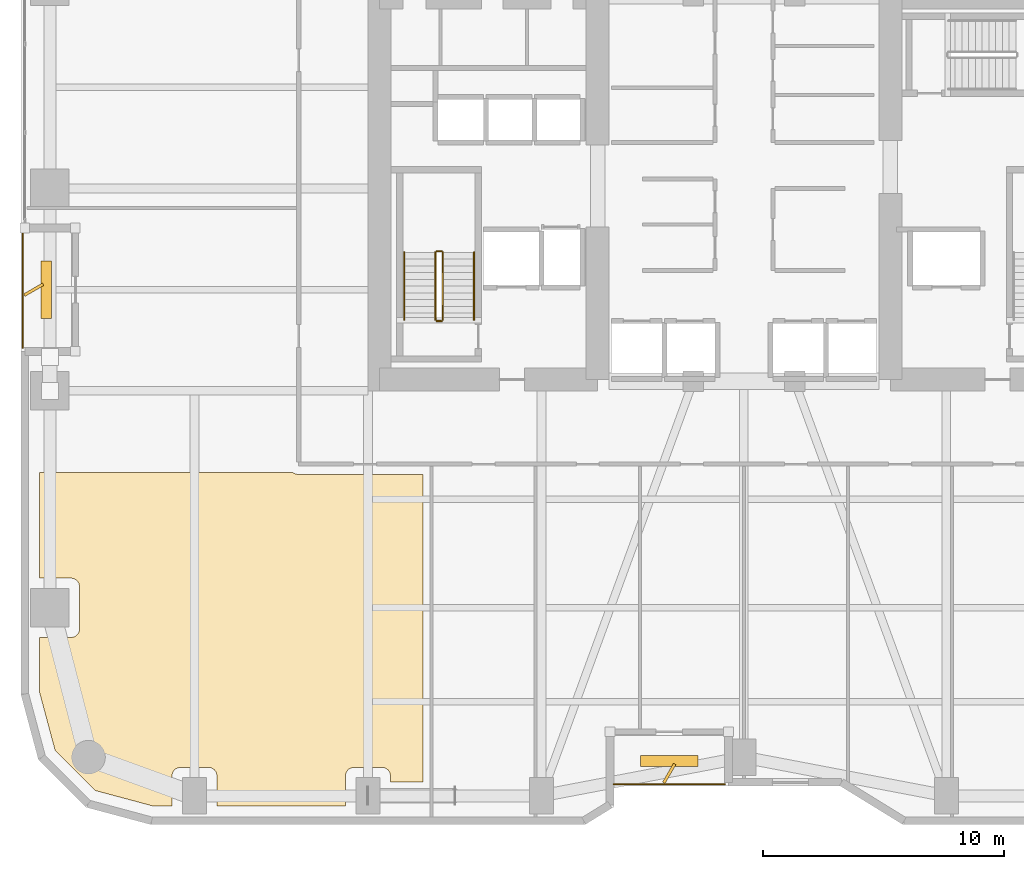
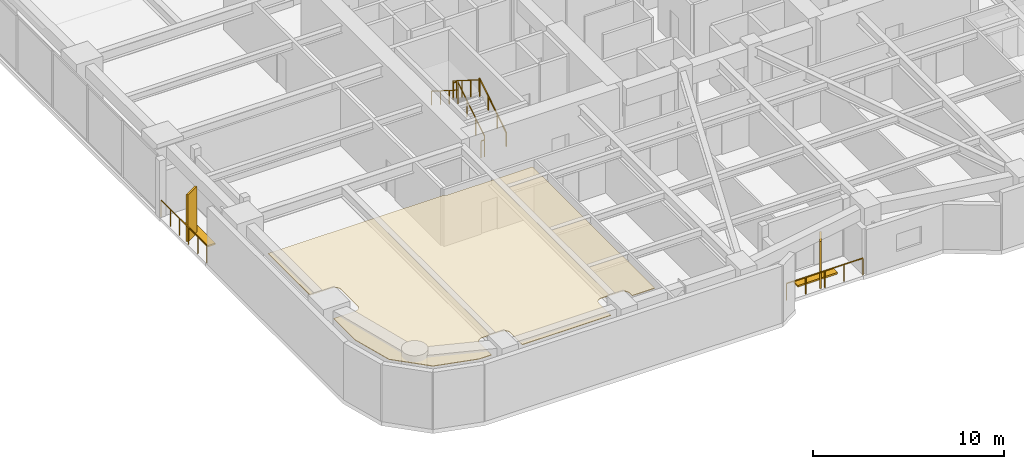
# One storey, part 26 of 28: 8 railings, 4 shading devices, 1 covering.
"""IFC4 building model written with IfcOpenShell, lengths in metres."""

from ifc_helpers import new_model, si_unit, direction, frame, origin, origin_2d, place, context, subcontext, project, spatial, polyline, rectangle, outline, extrude, material, layer, layer_set, type_object, element, save


model = new_model("IFC4")

# Units and contexts
model_context = context("Model", 3, precision=1e-05, world=origin(), true_north=direction((0.0, 1.0)))
body_context = subcontext(model_context, "Body", "Model", "MODEL_VIEW")
ifc_project = project(units=[si_unit("LENGTHUNIT", "METRE"), si_unit("AREAUNIT", "SQUARE_METRE"), si_unit("VOLUMEUNIT", "CUBIC_METRE"), si_unit("PLANEANGLEUNIT", "RADIAN"), si_unit("MASSUNIT", "GRAM", prefix="KILO")], contexts=[model_context])

# Site, building, storey
site_placement = place(None, origin())
site = spatial("IfcSite", under=ifc_project, at=site_placement, CompositionType="ELEMENT")
building_placement = place(site_placement, origin())
building = spatial("IfcBuilding", under=site, at=building_placement, Name="Kiyonajd Concourse Tower", CompositionType="ELEMENT")
storey_placement = place(building_placement, frame((0.0, 0.0, 64.5)))
storey = spatial("IfcBuildingStorey", under=building, at=storey_placement, Name="L17", CompositionType="ELEMENT", Elevation=64.5)

# Covering
ifc_material_1 = material(Name="Natural Oak Acoustic Timber Veneer", Category="wood")
ifc_layer = layer(ifc_material_1, 0.0400390625)
ifc_layer_set = layer_set([ifc_layer], Name="Natural Oak Acoustic Timber Veneer")
covering_type = type_object("IfcCoveringType", Name="CV-CLG-ACST", PredefinedType="CEILING", material=ifc_layer_set)
covering_placement = place(storey_placement, frame((0.0, 0.0, 3.4599609375)))
element("IfcCovering", 1, at=covering_placement, inside=storey, type_object=covering_type, Name="L17-40 Room Acoustic Ceiling", PredefinedType="CEILING", context=body_context, shape_type="SweptSolid", body=[
    extrude(outline(polyline([(19.4140625, 12.697998046875), (18.77001953125, 15.10107421875), (18.77001953125, 17.3701171875), (20.114013671875, 17.3720703125), (20.181884765625, 17.385009765625), (20.2451171875, 17.410888671875), (20.302001953125, 17.448974609375), (20.35107421875, 17.498046875), (20.388916015625, 17.554931640625), (20.4150390625, 17.617919921875), (20.429931640625, 17.719970703125), (20.427978515625, 19.513916015625), (20.403076171875, 19.614013671875), (20.35107421875, 19.701904296875), (20.302001953125, 19.7509765625), (20.2451171875, 19.7890625), (20.14794921875, 19.822998046875), (20.080078125, 19.830078125), (18.77001953125, 19.830078125), (18.77001953125, 24.2099609375), (29.277099609375, 24.2099609375), (29.33203125, 24.176025390625), (29.39501953125, 24.14990234375), (29.52490234375, 24.1298828125), (34.68994140625, 24.1298828125), (34.68994140625, 11.3701171875), (33.330078125, 11.3701171875), (33.327880859375, 11.6640625), (33.302978515625, 11.763916015625), (33.27099609375, 11.823974609375), (33.22705078125, 11.876953125), (33.174072265625, 11.9208984375), (33.114013671875, 11.952880859375), (33.048095703125, 11.972900390625), (32.97998046875, 11.97998046875), (31.785888671875, 11.97802734375), (31.68603515625, 11.952880859375), (31.597900390625, 11.90087890625), (31.549072265625, 11.85205078125), (31.510986328125, 11.794921875), (31.47705078125, 11.697998046875), (31.469970703125, 11.6298828125), (31.469970703125, 10.3701171875), (26.1298828125, 10.3701171875), (26.1279296875, 11.6640625), (26.114990234375, 11.73193359375), (26.089111328125, 11.794921875), (26.027099609375, 11.876953125), (25.945068359375, 11.93896484375), (25.882080078125, 11.965087890625), (25.81396484375, 11.97802734375), (24.5859375, 11.97802734375), (24.486083984375, 11.952880859375), (24.39794921875, 11.90087890625), (24.34912109375, 11.85205078125), (24.31103515625, 11.794921875), (24.277099609375, 11.697998046875), (24.27001953125, 11.6298828125), (24.27001953125, 10.3701171875), (23.5009765625, 10.3701171875), (21.097900390625, 11.013916015625), (19.4140625, 12.697998046875)])), origin(), (0.0, 0.0, 1.0), 0.0400390625),
])

# Railings
ifc_material_2 = material(Name="Thermally Broken Anodised Aluminium", Category="aluminium")
railing_type_1 = type_object("IfcRailingType", Name="RL-GRD-LOG", PredefinedType="GUARDRAIL", material=ifc_material_2)
railing_1_placement = place(storey_placement, frame((42.60009765625, 11.280029296875, 0.0)))
element("IfcRailing", 2, at=railing_1_placement, inside=storey, type_object=railing_type_1, Name="L17 Engawa Loggia Perimeter Guard LOG-S", PredefinedType="GUARDRAIL", context=body_context, shape_type="SweptSolid", body=[
    extrude(rectangle(XDim=0.048095703125, YDim=0.048095703125, at=origin_2d()), frame((0.0, 0.0, 1.076171875), z_axis=(1.0, 0.0, 0.0), x_axis=(0.0, 1.0, 0.0)), (0.0, 0.0, 1.0), 4.599853515625),
    extrude(rectangle(XDim=0.0419921875, YDim=0.0419921875, at=origin_2d()), origin(), (0.0, 0.0, 1.0), 1.052001953125),
    extrude(rectangle(XDim=0.0419921875, YDim=0.0419921875, at=origin_2d()), frame((1.14990234375, 0.0, 0.0)), (0.0, 0.0, 1.0), 1.052001953125),
    extrude(rectangle(XDim=0.0419921875, YDim=0.0419921875, at=origin_2d()), frame((2.2998046875, 0.0, 0.0)), (0.0, 0.0, 1.0), 1.052001953125),
    extrude(rectangle(XDim=0.0419921875, YDim=0.0419921875, at=origin_2d()), frame((3.449951171875, 0.0, 0.0)), (0.0, 0.0, 1.0), 1.052001953125),
    extrude(rectangle(XDim=0.0419921875, YDim=0.0419921875, at=origin_2d()), frame((4.599853515625, 0.0, 0.0)), (0.0, 0.0, 1.0), 1.052001953125),
])
railing_2_placement = place(storey_placement, frame((18.080078125, 34.199951171875, 0.0)))
element("IfcRailing", 3, at=railing_2_placement, inside=storey, type_object=railing_type_1, Name="L17 Engawa Loggia Perimeter Guard LOG-W", PredefinedType="GUARDRAIL", context=body_context, shape_type="SweptSolid", body=[
    extrude(rectangle(XDim=0.048095703125, YDim=0.048095703125, at=origin_2d()), frame((0.0, 0.0, 1.076171875), z_axis=(0.0, -1.0, 0.0), x_axis=(1.0, 0.0, 0.0)), (0.0, 0.0, 1.0), 4.800048828125),
    extrude(rectangle(XDim=0.0419921875, YDim=0.0419921875, at=origin_2d()), origin(), (0.0, 0.0, 1.0), 1.052001953125),
    extrude(rectangle(XDim=0.0419921875, YDim=0.0419921875, at=origin_2d()), frame((0.0, -0.9599609375, 0.0)), (0.0, 0.0, 1.0), 1.052001953125),
    extrude(rectangle(XDim=0.0419921875, YDim=0.0419921875, at=origin_2d()), frame((0.0, -1.919921875, 0.0)), (0.0, 0.0, 1.0), 1.052001953125),
    extrude(rectangle(XDim=0.0419921875, YDim=0.0419921875, at=origin_2d()), frame((0.0, -2.880126953125, 0.0)), (0.0, 0.0, 1.0), 1.052001953125),
    extrude(rectangle(XDim=0.0419921875, YDim=0.0419921875, at=origin_2d()), frame((0.0, -3.840087890625, 0.0)), (0.0, 0.0, 1.0), 1.052001953125),
    extrude(rectangle(XDim=0.0419921875, YDim=0.0419921875, at=origin_2d()), frame((0.0, -4.800048828125, 0.0)), (0.0, 0.0, 1.0), 1.052001953125),
])
ifc_material_3 = material(Name="Steel ASTM A500 Grade C", Category="steel")
railing_type_2 = type_object("IfcRailingType", Name="RL-GRD-STR", PredefinedType="GUARDRAIL", material=ifc_material_3)
railing_3_placement = place(storey_placement, frame((35.5, 30.550048828125, 0.17724609375)))
element("IfcRailing", 4, at=railing_3_placement, inside=storey, type_object=railing_type_2, Name="L17 ST1 stair guard 1", PredefinedType="GUARDRAIL", context=body_context, shape_type="SweptSolid", body=[
    extrude(rectangle(XDim=0.048095703125, YDim=0.048095703125, at=origin_2d()), frame((0.0, 0.0, 1.076171875), z_axis=(0.0, 0.844908973607, 0.534910110503), x_axis=(-1.0, 0.0, 0.0)), (0.0, 0.0, 1.0), 3.31396484375),
    extrude(rectangle(XDim=0.0419921875, YDim=0.0419921875, at=origin_2d()), origin(), (0.0, 0.0, 1.0), 1.052001953125),
    extrude(rectangle(XDim=0.0419921875, YDim=0.0419921875, at=origin_2d()), frame((0.0, 0.933349609375, 0.5908203125)), (0.0, 0.0, 1.0), 1.052001953125),
    extrude(rectangle(XDim=0.0419921875, YDim=0.0419921875, at=origin_2d()), frame((0.0, 1.86669921875, 1.181884765625)), (0.0, 0.0, 1.0), 1.052001953125),
    extrude(rectangle(XDim=0.0419921875, YDim=0.0419921875, at=origin_2d()), frame((0.0, 2.800048828125, 1.772705078125)), (0.0, 0.0, 1.0), 1.052001953125),
])
railing_4_placement = place(storey_placement, frame((35.449951171875, 33.39990234375, 1.949951171875)))
element("IfcRailing", 5, at=railing_4_placement, inside=storey, type_object=railing_type_2, Name="L17 ST1 stair guard 2", PredefinedType="GUARDRAIL", context=body_context, shape_type="SweptSolid", body=[
    extrude(rectangle(XDim=0.048095703125, YDim=0.048095703125, at=origin_2d()), frame((0.0, 0.0, 1.076171875), z_axis=(-1.0, 0.0, 0.0), x_axis=(0.0, -1.0, 0.0)), (0.0, 0.0, 1.0), 0.199951171875),
    extrude(rectangle(XDim=0.0419921875, YDim=0.0419921875, at=origin_2d()), origin(), (0.0, 0.0, 1.0), 1.052001953125),
    extrude(rectangle(XDim=0.0419921875, YDim=0.0419921875, at=origin_2d()), frame((-0.199951171875, 0.0, 0.0)), (0.0, 0.0, 1.0), 1.052001953125),
])
railing_5_placement = place(storey_placement, frame((35.199951171875, 33.35009765625, 2.127197265625)))
element("IfcRailing", 6, at=railing_5_placement, inside=storey, type_object=railing_type_2, Name="L17 ST1 stair guard 3", PredefinedType="GUARDRAIL", context=body_context, shape_type="SweptSolid", body=[
    extrude(rectangle(XDim=0.048095703125, YDim=0.048095703125, at=origin_2d()), frame((0.0, 0.0, 1.076171875), z_axis=(0.0, -0.844908973607, 0.534910110503), x_axis=(1.0, 0.0, 0.0)), (0.0, 0.0, 1.0), 3.31396484375),
    extrude(rectangle(XDim=0.0419921875, YDim=0.0419921875, at=origin_2d()), origin(), (0.0, 0.0, 1.0), 1.052001953125),
    extrude(rectangle(XDim=0.0419921875, YDim=0.0419921875, at=origin_2d()), frame((0.0, -0.933349609375, 0.5908203125)), (0.0, 0.0, 1.0), 1.052001953125),
    extrude(rectangle(XDim=0.0419921875, YDim=0.0419921875, at=origin_2d()), frame((0.0, -1.86669921875, 1.181884765625)), (0.0, 0.0, 1.0), 1.052001953125),
    extrude(rectangle(XDim=0.0419921875, YDim=0.0419921875, at=origin_2d()), frame((0.0, -2.800048828125, 1.772705078125)), (0.0, 0.0, 1.0), 1.052001953125),
])
railing_6_placement = place(storey_placement, frame((35.449951171875, 30.5, 0.0)))
element("IfcRailing", 7, at=railing_6_placement, inside=storey, type_object=railing_type_2, Name="L17 ST1 stair guard 4", PredefinedType="GUARDRAIL", context=body_context, shape_type="SweptSolid", body=[
    extrude(rectangle(XDim=0.048095703125, YDim=0.048095703125, at=origin_2d()), frame((0.0, 0.0, 1.076171875), z_axis=(-1.0, 0.0, 0.0), x_axis=(0.0, -1.0, 0.0)), (0.0, 0.0, 1.0), 0.199951171875),
    extrude(rectangle(XDim=0.0419921875, YDim=0.0419921875, at=origin_2d()), origin(), (0.0, 0.0, 1.0), 1.052001953125),
    extrude(rectangle(XDim=0.0419921875, YDim=0.0419921875, at=origin_2d()), frame((-0.199951171875, 0.0, 0.0)), (0.0, 0.0, 1.0), 1.052001953125),
])
ifc_material_4 = material(Name="Brushed Stainless Steel Cab Assembly", Category="steel")
railing_type_3 = type_object("IfcRailingType", Name="RL-HND-900", PredefinedType="HANDRAIL", material=ifc_material_4)
railing_7_placement = place(storey_placement, frame((36.800048828125, 30.550048828125, 0.17724609375)))
element("IfcRailing", 8, at=railing_7_placement, inside=storey, type_object=railing_type_3, Name="L17 ST1 stair handrail 1", PredefinedType="HANDRAIL", context=body_context, shape_type="SweptSolid", body=[
    extrude(rectangle(XDim=0.048095703125, YDim=0.048095703125, at=origin_2d()), frame((0.0, 0.0, 0.8759765625), z_axis=(0.0, 0.844908973607, 0.534910110503), x_axis=(-1.0, 0.0, 0.0)), (0.0, 0.0, 1.0), 3.31396484375),
    extrude(rectangle(XDim=0.0419921875, YDim=0.0419921875, at=origin_2d()), origin(), (0.0, 0.0, 1.0), 0.851806640625),
    extrude(rectangle(XDim=0.0419921875, YDim=0.0419921875, at=origin_2d()), frame((0.0, 0.933349609375, 0.5908203125)), (0.0, 0.0, 1.0), 0.851806640625),
    extrude(rectangle(XDim=0.0419921875, YDim=0.0419921875, at=origin_2d()), frame((0.0, 1.86669921875, 1.181884765625)), (0.0, 0.0, 1.0), 0.851806640625),
    extrude(rectangle(XDim=0.0419921875, YDim=0.0419921875, at=origin_2d()), frame((0.0, 2.800048828125, 1.772705078125)), (0.0, 0.0, 1.0), 0.851806640625),
])
railing_8_placement = place(storey_placement, frame((33.89990234375, 33.35009765625, 2.127197265625)))
element("IfcRailing", 9, at=railing_8_placement, inside=storey, type_object=railing_type_3, Name="L17 ST1 stair handrail 2", PredefinedType="HANDRAIL", context=body_context, shape_type="SweptSolid", body=[
    extrude(rectangle(XDim=0.048095703125, YDim=0.048095703125, at=origin_2d()), frame((0.0, 0.0, 0.8759765625), z_axis=(0.0, -0.844908973607, 0.534910110503), x_axis=(1.0, 0.0, 0.0)), (0.0, 0.0, 1.0), 3.31396484375),
    extrude(rectangle(XDim=0.0419921875, YDim=0.0419921875, at=origin_2d()), origin(), (0.0, 0.0, 1.0), 0.851806640625),
    extrude(rectangle(XDim=0.0419921875, YDim=0.0419921875, at=origin_2d()), frame((0.0, -0.933349609375, 0.5908203125)), (0.0, 0.0, 1.0), 0.851806640625),
    extrude(rectangle(XDim=0.0419921875, YDim=0.0419921875, at=origin_2d()), frame((0.0, -1.86669921875, 1.181884765625)), (0.0, 0.0, 1.0), 0.851806640625),
    extrude(rectangle(XDim=0.0419921875, YDim=0.0419921875, at=origin_2d()), frame((0.0, -2.800048828125, 1.772705078125)), (0.0, 0.0, 1.0), 0.851806640625),
])

# Shading devices
ifc_material_5 = material(Name="Precast concrete C50/60", Category="concrete")
shading_device_type_1 = type_object("IfcShadingDeviceType", Name="SH-FIN-900", PredefinedType="USERDEFINED", material=ifc_material_5)
for number, where, z_axis, x_axis, name in (
    (10, (44.89990234375, 11.72998046875, 0.0), (0.0, 0.0, 1.0), (0.5, 0.866025403784, 0.0), "L17 Angled Koshi Solar Fin LOG-S"),
    (11, (18.530029296875, 31.800048828125, 0.0), (0.0, 0.0, 1.0), (0.866025403784, 0.5, 0.0), "L17 Angled Koshi Solar Fin LOG-W"),
):
    element("IfcShadingDevice", number, at=place(storey_placement, frame(where, z_axis=z_axis, x_axis=x_axis)), inside=storey, type_object=shading_device_type_1, Name=name, ObjectType="FIN", PredefinedType="USERDEFINED", context=body_context, shape_type="SweptSolid", body=[
        extrude(rectangle(XDim=0.89990234375, YDim=0.1201171875, at=origin_2d()), origin(), (0.0, 0.0, 1.0), 3.0),
    ])
shading_device_type_2 = type_object("IfcShadingDeviceType", Name="SH-LVR-600", PredefinedType="JALOUSIE", material=ifc_material_2)
for number, where, z_axis, x_axis, name in (
    (12, (44.89990234375, 12.25, 0.0), (0.0, 0.0, 1.0), (1.0, 0.0, 0.0), "L17 Loggia Threshold Louver LOG-S"),
    (13, (19.050048828125, 31.800048828125, 0.0), (0.0, 0.0, 1.0), (0.0, 1.0, 0.0), "L17 Loggia Threshold Louver LOG-W"),
):
    element("IfcShadingDevice", number, at=place(storey_placement, frame(where, z_axis=z_axis, x_axis=x_axis)), inside=storey, type_object=shading_device_type_2, Name=name, PredefinedType="JALOUSIE", context=body_context, shape_type="SweptSolid", body=[
        extrude(rectangle(XDim=2.39990234375, YDim=0.449951171875, at=origin_2d()), origin(), (0.0, 0.0, 1.0), 0.10009765625),
    ])

save(model, "model.ifc")
